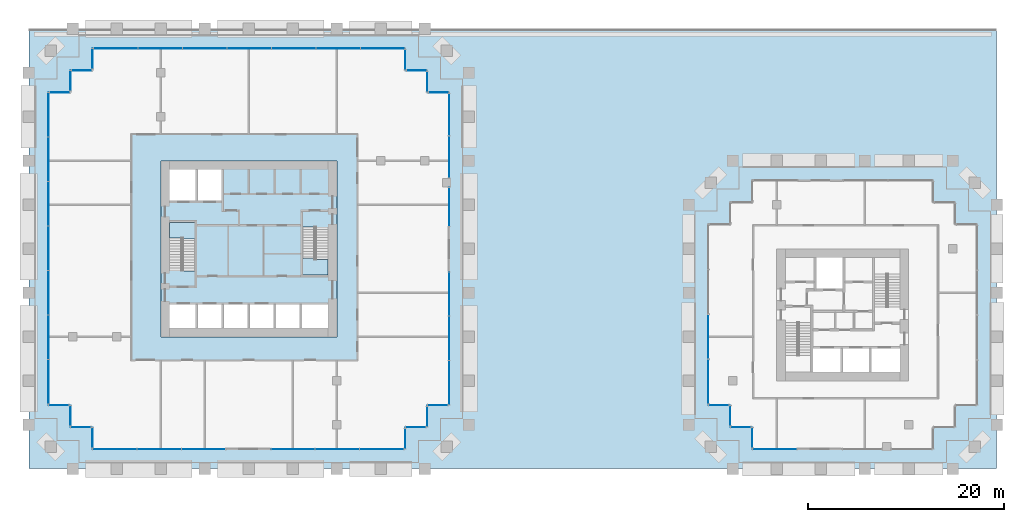
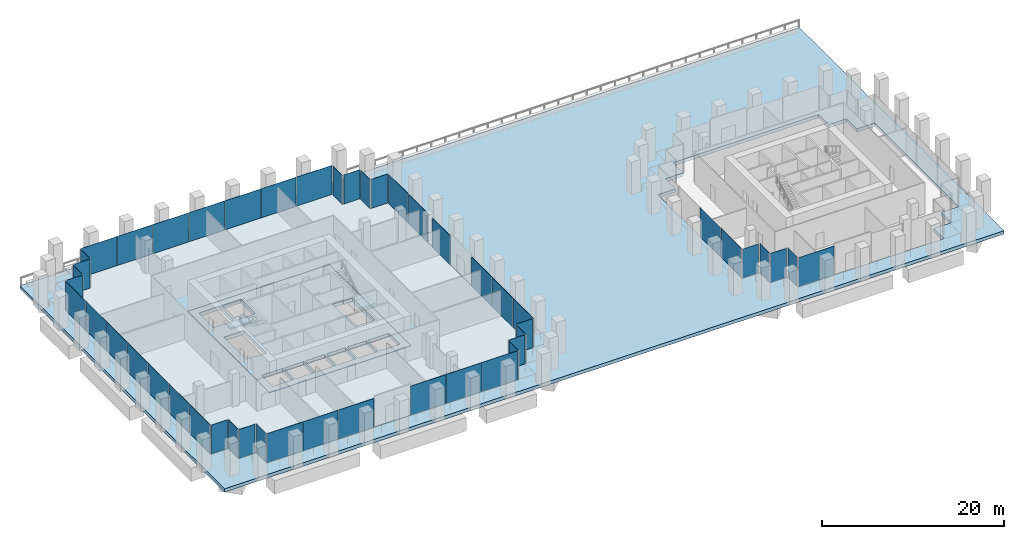
# One storey, part 23 of 32: 49 plates, 5 slabs, 31 elements without a shape of their own.
"""IFC4 building model written with IfcOpenShell, lengths in metres."""

from ifc_helpers import new_model, si_unit, direction, frame, origin, origin_2d, place, context, subcontext, project, spatial, polyline, rectangle, outline, extrude, material, layer, layer_set, type_object, element, aggregate, save


model = new_model("IFC4")

# Units and contexts
model_context = context("Model", 3, precision=1e-05, world=origin(), true_north=direction((0.0, 1.0)))
body_context = subcontext(model_context, "Body", "Model", "MODEL_VIEW")
ifc_project = project(units=[si_unit("LENGTHUNIT", "METRE"), si_unit("AREAUNIT", "SQUARE_METRE"), si_unit("VOLUMEUNIT", "CUBIC_METRE"), si_unit("PLANEANGLEUNIT", "RADIAN"), si_unit("MASSUNIT", "GRAM", prefix="KILO")], contexts=[model_context])

# Site, building, storey
site_placement = place(None, origin())
site = spatial("IfcSite", under=ifc_project, at=site_placement, CompositionType="ELEMENT")
building_placement = place(site_placement, origin())
building = spatial("IfcBuilding", under=site, at=building_placement, Name="Altepetl Exchange Towers", CompositionType="ELEMENT")
storey_placement = place(building_placement, frame((0.0, 0.0, 21.0)))
storey = spatial("IfcBuildingStorey", under=building, at=storey_placement, Name="L04", CompositionType="ELEMENT", Elevation=21.0)

# Slabs
ifc_material_1 = material(Name="Concrete C40/50", Category="concrete")
ifc_layer_1 = layer(ifc_material_1, 0.449951171875)
ifc_layer_set_1 = layer_set([ifc_layer_1], Name="Concrete C40/50")
slab_type_1 = type_object("IfcSlabType", Name="Composite floor slab 450", PredefinedType="FLOOR", material=ifc_layer_set_1)
slab_1_placement = place(storey_placement, frame((0.0, 0.0, -0.449951171875)))
element("IfcSlab", 1, at=slab_1_placement, inside=storey, type_object=slab_type_1, Name="slab:A:L04:strip0", PredefinedType="FLOOR", context=body_context, shape_type="SweptSolid", body=[
    extrude(outline(polyline([(31.25, 67.75), (31.25, 65.5), (29.0, 65.5), (29.0, 33.5), (31.25, 33.5), (31.25, 31.25), (33.5, 31.25), (33.5, 29.0), (65.5, 29.0), (65.5, 31.25), (67.75, 31.25), (67.75, 33.5), (70.0, 33.5), (70.0, 65.5), (67.75, 65.5), (67.75, 67.75), (65.5, 67.75), (65.5, 70.0), (33.5, 70.0), (33.5, 67.75), (31.25, 67.75)]), holes=[polyline([(58.5, 58.5), (58.5, 40.5), (40.5, 40.5), (40.5, 58.5), (58.5, 58.5)])]), origin(), (0.0, 0.0, 1.0), 0.449951171875),
])
ifc_layer_2 = layer(ifc_material_1, 0.5)
ifc_layer_set_2 = layer_set([ifc_layer_2], Name="Concrete C40/50")
slab_type_2 = type_object("IfcSlabType", Name="Core floor slab 500", PredefinedType="FLOOR", material=ifc_layer_set_2)
slab_2_placement = place(storey_placement, frame((0.0, 0.0, -0.5)))
element("IfcSlab", 2, at=slab_2_placement, inside=storey, type_object=slab_type_2, Name="slab:A:L04:core0", PredefinedType="FLOOR", context=body_context, shape_type="SweptSolid", body=[
    extrude(outline(polyline([(40.5, 40.5), (58.5, 40.5), (58.5, 58.5), (40.5, 58.5), (40.5, 40.5)]), holes=[polyline([(41.39990234375, 43.800048828125), (44.06689453125, 43.800048828125), (44.06689453125, 41.39990234375), (41.39990234375, 41.39990234375), (41.39990234375, 43.800048828125)]), polyline([(44.26708984375, 43.800048828125), (46.73291015625, 43.800048828125), (46.73291015625, 41.39990234375), (44.26708984375, 41.39990234375), (44.26708984375, 43.800048828125)]), polyline([(46.93310546875, 43.800048828125), (49.39990234375, 43.800048828125), (49.39990234375, 41.39990234375), (46.93310546875, 41.39990234375), (46.93310546875, 43.800048828125)]), polyline([(52.06689453125, 43.800048828125), (52.06689453125, 41.39990234375), (49.60009765625, 41.39990234375), (49.60009765625, 43.800048828125), (52.06689453125, 43.800048828125)]), polyline([(54.73291015625, 43.800048828125), (54.73291015625, 41.39990234375), (52.26708984375, 41.39990234375), (52.26708984375, 43.800048828125), (54.73291015625, 43.800048828125)]), polyline([(54.93310546875, 43.800048828125), (57.60009765625, 43.800048828125), (57.60009765625, 41.39990234375), (54.93310546875, 41.39990234375), (54.93310546875, 43.800048828125)]), polyline([(55.0, 51.7490234375), (56.35009765625, 51.7490234375), (56.35009765625, 51.64990234375), (57.5, 51.64990234375), (57.5, 46.800048828125), (55.0, 46.800048828125), (55.0, 51.7490234375)]), polyline([(44.0, 47.2509765625), (42.64990234375, 47.2509765625), (42.64990234375, 47.35009765625), (41.5, 47.35009765625), (41.5, 52.199951171875), (44.0, 52.199951171875), (44.0, 47.2509765625)]), polyline([(44.06689453125, 57.60009765625), (44.06689453125, 54.39990234375), (41.39990234375, 54.39990234375), (41.39990234375, 57.60009765625), (44.06689453125, 57.60009765625)]), polyline([(46.73291015625, 57.60009765625), (46.73291015625, 54.39990234375), (44.26708984375, 54.39990234375), (44.26708984375, 57.60009765625), (46.73291015625, 57.60009765625)])]), origin(), (0.0, 0.0, 1.0), 0.5),
])

# Curtain wall, plate
ifc_material_2 = material(Name="Aluminium 6063-T6 glazing", Category="aluminium")
curtain_wall_type = type_object("IfcCurtainWallType", Name="Trading floor glazing system", PredefinedType="NOTDEFINED", material=ifc_material_2)
curtain_wall_1_placement = place(storey_placement, origin())
curtain_wall_1 = element("IfcCurtainWall", 3, at=curtain_wall_1_placement, inside=storey, type_object=curtain_wall_type, Name="CW2 run", PredefinedType="NOTDEFINED")
ifc_material_3 = material(Name="Glass 8-20-8 solar control", Category="glass")
ifc_layer_3 = layer(ifc_material_3, 0.035888671875)
ifc_layer_set_3 = layer_set([ifc_layer_3], Name="Glass 8-20-8 solar control")
plate_type = type_object("IfcPlateType", Name="Glass panel 36 double glazed", PredefinedType="CURTAIN_PANEL", material=ifc_layer_set_3)
plate_1_placement = place(storey_placement, frame((30.175048828125, 65.5, 0.0), z_axis=(0.0, 0.0, 1.0), x_axis=(-1.0, 0.0, 0.0)))
plate_1 = element("IfcPlate", 4, at=plate_1_placement, type_object=plate_type, Name="GP2 panel", PredefinedType="CURTAIN_PANEL", context=body_context, shape_type="SweptSolid", body=[
    extrude(rectangle(XDim=2.030029296875, YDim=0.035888671875, at=origin_2d()), origin(), (0.0, 0.0, 1.0), 3.89990234375),
])
aggregate(curtain_wall_1, [plate_1])

# Curtain wall, plates
curtain_wall_2_placement = place(storey_placement, origin())
curtain_wall_2 = element("IfcCurtainWall", 5, at=curtain_wall_2_placement, inside=storey, type_object=curtain_wall_type, Name="CW2 run", PredefinedType="NOTDEFINED")
plate_2_placement = place(storey_placement, frame((29.0, 63.20654296875, 0.0), z_axis=(0.0, 0.0, 1.0), x_axis=(0.0, -1.0, 0.0)))
plate_2 = element("IfcPlate", 6, at=plate_2_placement, type_object=plate_type, Name="GP2 panel", PredefinedType="CURTAIN_PANEL", context=body_context, shape_type="SweptSolid", body=[
    extrude(rectangle(XDim=4.467041015625, YDim=0.035888671875, at=origin_2d()), origin(), (0.0, 0.0, 1.0), 3.89990234375),
])
plate_3_placement = place(storey_placement, frame((29.0, 58.664306640625, 0.0), z_axis=(0.0, 0.0, 1.0), x_axis=(0.0, -1.0, 0.0)))
plate_3 = element("IfcPlate", 7, at=plate_3_placement, type_object=plate_type, Name="GP2 panel", PredefinedType="CURTAIN_PANEL", context=body_context, shape_type="SweptSolid", body=[
    extrude(rectangle(XDim=4.4970703125, YDim=0.035888671875, at=origin_2d()), origin(), (0.0, 0.0, 1.0), 3.89990234375),
])
plate_4_placement = place(storey_placement, frame((29.0, 54.107177734375, 0.0), z_axis=(0.0, 0.0, 1.0), x_axis=(0.0, -1.0, 0.0)))
plate_4 = element("IfcPlate", 8, at=plate_4_placement, type_object=plate_type, Name="GP2 panel", PredefinedType="CURTAIN_PANEL", context=body_context, shape_type="SweptSolid", body=[
    extrude(rectangle(XDim=4.4970703125, YDim=0.035888671875, at=origin_2d()), origin(), (0.0, 0.0, 1.0), 3.89990234375),
])
plate_5_placement = place(storey_placement, frame((29.0, 49.550048828125, 0.0), z_axis=(0.0, 0.0, 1.0), x_axis=(0.0, -1.0, 0.0)))
plate_5 = element("IfcPlate", 9, at=plate_5_placement, type_object=plate_type, Name="GP2 panel", PredefinedType="CURTAIN_PANEL", context=body_context, shape_type="SweptSolid", body=[
    extrude(rectangle(XDim=4.4970703125, YDim=0.035888671875, at=origin_2d()), origin(), (0.0, 0.0, 1.0), 3.89990234375),
])
plate_6_placement = place(storey_placement, frame((29.0, 44.992919921875, 0.0), z_axis=(0.0, 0.0, 1.0), x_axis=(0.0, -1.0, 0.0)))
plate_6 = element("IfcPlate", 10, at=plate_6_placement, type_object=plate_type, Name="GP2 panel", PredefinedType="CURTAIN_PANEL", context=body_context, shape_type="SweptSolid", body=[
    extrude(rectangle(XDim=4.4970703125, YDim=0.035888671875, at=origin_2d()), origin(), (0.0, 0.0, 1.0), 3.89990234375),
])
plate_7_placement = place(storey_placement, frame((29.0, 40.435791015625, 0.0), z_axis=(0.0, 0.0, 1.0), x_axis=(0.0, -1.0, 0.0)))
plate_7 = element("IfcPlate", 11, at=plate_7_placement, type_object=plate_type, Name="GP2 panel", PredefinedType="CURTAIN_PANEL", context=body_context, shape_type="SweptSolid", body=[
    extrude(rectangle(XDim=4.4970703125, YDim=0.035888671875, at=origin_2d()), origin(), (0.0, 0.0, 1.0), 3.89990234375),
])
plate_8_placement = place(storey_placement, frame((29.0, 35.8935546875, 0.0), z_axis=(0.0, 0.0, 1.0), x_axis=(0.0, -1.0, 0.0)))
plate_8 = element("IfcPlate", 12, at=plate_8_placement, type_object=plate_type, Name="GP2 panel", PredefinedType="CURTAIN_PANEL", context=body_context, shape_type="SweptSolid", body=[
    extrude(rectangle(XDim=4.467041015625, YDim=0.035888671875, at=origin_2d()), origin(), (0.0, 0.0, 1.0), 3.89990234375),
])
aggregate(curtain_wall_2, [plate_2, plate_3, plate_4, plate_5, plate_6, plate_7, plate_8])

# Curtain wall, plate
curtain_wall_3_placement = place(storey_placement, origin())
curtain_wall_3 = element("IfcCurtainWall", 13, at=curtain_wall_3_placement, inside=storey, type_object=curtain_wall_type, Name="CW2 run", PredefinedType="NOTDEFINED")
plate_9_placement = place(storey_placement, frame((30.074951171875, 33.5, 0.0)))
plate_9 = element("IfcPlate", 14, at=plate_9_placement, type_object=plate_type, Name="GP2 panel", PredefinedType="CURTAIN_PANEL", context=body_context, shape_type="SweptSolid", body=[
    extrude(rectangle(XDim=2.030029296875, YDim=0.035888671875, at=origin_2d()), origin(), (0.0, 0.0, 1.0), 3.89990234375),
])
aggregate(curtain_wall_3, [plate_9])

curtain_wall_4_placement = place(storey_placement, origin())
curtain_wall_4 = element("IfcCurtainWall", 15, at=curtain_wall_4_placement, inside=storey, type_object=curtain_wall_type, Name="CW2 run", PredefinedType="NOTDEFINED")
plate_10_placement = place(storey_placement, frame((31.25, 32.425048828125, 0.0), z_axis=(0.0, 0.0, 1.0), x_axis=(0.0, -1.0, 0.0)))
plate_10 = element("IfcPlate", 16, at=plate_10_placement, type_object=plate_type, Name="GP2 panel", PredefinedType="CURTAIN_PANEL", context=body_context, shape_type="SweptSolid", body=[
    extrude(rectangle(XDim=2.030029296875, YDim=0.035888671875, at=origin_2d()), origin(), (0.0, 0.0, 1.0), 3.89990234375),
])
aggregate(curtain_wall_4, [plate_10])

curtain_wall_5_placement = place(storey_placement, origin())
curtain_wall_5 = element("IfcCurtainWall", 17, at=curtain_wall_5_placement, inside=storey, type_object=curtain_wall_type, Name="CW2 run", PredefinedType="NOTDEFINED")
plate_11_placement = place(storey_placement, frame((32.324951171875, 31.25, 0.0)))
plate_11 = element("IfcPlate", 18, at=plate_11_placement, type_object=plate_type, Name="GP2 panel", PredefinedType="CURTAIN_PANEL", context=body_context, shape_type="SweptSolid", body=[
    extrude(rectangle(XDim=2.030029296875, YDim=0.035888671875, at=origin_2d()), origin(), (0.0, 0.0, 1.0), 3.89990234375),
])
aggregate(curtain_wall_5, [plate_11])

curtain_wall_6_placement = place(storey_placement, origin())
curtain_wall_6 = element("IfcCurtainWall", 19, at=curtain_wall_6_placement, inside=storey, type_object=curtain_wall_type, Name="CW2 run", PredefinedType="NOTDEFINED")
plate_12_placement = place(storey_placement, frame((33.5, 30.175048828125, 0.0), z_axis=(0.0, 0.0, 1.0), x_axis=(0.0, -1.0, 0.0)))
plate_12 = element("IfcPlate", 20, at=plate_12_placement, type_object=plate_type, Name="GP2 panel", PredefinedType="CURTAIN_PANEL", context=body_context, shape_type="SweptSolid", body=[
    extrude(rectangle(XDim=2.030029296875, YDim=0.035888671875, at=origin_2d()), origin(), (0.0, 0.0, 1.0), 3.89990234375),
])
aggregate(curtain_wall_6, [plate_12])

# Curtain wall, plates
curtain_wall_7_placement = place(storey_placement, origin())
curtain_wall_7 = element("IfcCurtainWall", 21, at=curtain_wall_7_placement, inside=storey, type_object=curtain_wall_type, Name="CW2 run", PredefinedType="NOTDEFINED")
plate_13_placement = place(storey_placement, frame((35.79345703125, 29.0, 0.0)))
plate_13 = element("IfcPlate", 22, at=plate_13_placement, type_object=plate_type, Name="GP2 panel", PredefinedType="CURTAIN_PANEL", context=body_context, shape_type="SweptSolid", body=[
    extrude(rectangle(XDim=4.467041015625, YDim=0.035888671875, at=origin_2d()), origin(), (0.0, 0.0, 1.0), 3.89990234375),
])
plate_14_placement = place(storey_placement, frame((40.335693359375, 29.0, 0.0)))
plate_14 = element("IfcPlate", 23, at=plate_14_placement, type_object=plate_type, Name="GP2 panel", PredefinedType="CURTAIN_PANEL", context=body_context, shape_type="SweptSolid", body=[
    extrude(rectangle(XDim=4.4970703125, YDim=0.035888671875, at=origin_2d()), origin(), (0.0, 0.0, 1.0), 3.89990234375),
])
plate_15_placement = place(storey_placement, frame((44.8779296875, 29.0, 0.0)))
plate_15 = element("IfcPlate", 24, at=plate_15_placement, type_object=plate_type, Name="GP2 panel", PredefinedType="CURTAIN_PANEL", context=body_context, shape_type="SweptSolid", body=[
    extrude(rectangle(XDim=4.467041015625, YDim=0.035888671875, at=origin_2d()), origin(), (0.0, 0.0, 1.0), 3.89990234375),
])
aggregate(curtain_wall_7, [plate_13, plate_14, plate_15])

curtain_wall_8_placement = place(storey_placement, origin())
curtain_wall_8 = element("IfcCurtainWall", 25, at=curtain_wall_8_placement, inside=storey, type_object=curtain_wall_type, Name="CW2 run", PredefinedType="NOTDEFINED")
plate_16_placement = place(storey_placement, frame((54.022216796875, 29.0, 0.0)))
plate_16 = element("IfcPlate", 26, at=plate_16_placement, type_object=plate_type, Name="GP2 panel", PredefinedType="CURTAIN_PANEL", context=body_context, shape_type="SweptSolid", body=[
    extrude(rectangle(XDim=4.467041015625, YDim=0.035888671875, at=origin_2d()), origin(), (0.0, 0.0, 1.0), 3.89990234375),
])
plate_17_placement = place(storey_placement, frame((58.564208984375, 29.0, 0.0)))
plate_17 = element("IfcPlate", 27, at=plate_17_placement, type_object=plate_type, Name="GP2 panel", PredefinedType="CURTAIN_PANEL", context=body_context, shape_type="SweptSolid", body=[
    extrude(rectangle(XDim=4.4970703125, YDim=0.035888671875, at=origin_2d()), origin(), (0.0, 0.0, 1.0), 3.89990234375),
])
plate_18_placement = place(storey_placement, frame((63.1064453125, 29.0, 0.0)))
plate_18 = element("IfcPlate", 28, at=plate_18_placement, type_object=plate_type, Name="GP2 panel", PredefinedType="CURTAIN_PANEL", context=body_context, shape_type="SweptSolid", body=[
    extrude(rectangle(XDim=4.467041015625, YDim=0.035888671875, at=origin_2d()), origin(), (0.0, 0.0, 1.0), 3.89990234375),
])
aggregate(curtain_wall_8, [plate_16, plate_17, plate_18])

# Curtain wall, plate
curtain_wall_9_placement = place(storey_placement, origin())
curtain_wall_9 = element("IfcCurtainWall", 29, at=curtain_wall_9_placement, inside=storey, type_object=curtain_wall_type, Name="CW2 run", PredefinedType="NOTDEFINED")
plate_19_placement = place(storey_placement, frame((65.5, 30.074951171875, 0.0), z_axis=(0.0, 0.0, 1.0), x_axis=(0.0, 1.0, 0.0)))
plate_19 = element("IfcPlate", 30, at=plate_19_placement, type_object=plate_type, Name="GP2 panel", PredefinedType="CURTAIN_PANEL", context=body_context, shape_type="SweptSolid", body=[
    extrude(rectangle(XDim=2.030029296875, YDim=0.035888671875, at=origin_2d()), origin(), (0.0, 0.0, 1.0), 3.89990234375),
])
aggregate(curtain_wall_9, [plate_19])

curtain_wall_10_placement = place(storey_placement, origin())
curtain_wall_10 = element("IfcCurtainWall", 31, at=curtain_wall_10_placement, inside=storey, type_object=curtain_wall_type, Name="CW2 run", PredefinedType="NOTDEFINED")
plate_20_placement = place(storey_placement, frame((66.574951171875, 31.25, 0.0)))
plate_20 = element("IfcPlate", 32, at=plate_20_placement, type_object=plate_type, Name="GP2 panel", PredefinedType="CURTAIN_PANEL", context=body_context, shape_type="SweptSolid", body=[
    extrude(rectangle(XDim=2.030029296875, YDim=0.035888671875, at=origin_2d()), origin(), (0.0, 0.0, 1.0), 3.89990234375),
])
aggregate(curtain_wall_10, [plate_20])

curtain_wall_11_placement = place(storey_placement, origin())
curtain_wall_11 = element("IfcCurtainWall", 33, at=curtain_wall_11_placement, inside=storey, type_object=curtain_wall_type, Name="CW2 run", PredefinedType="NOTDEFINED")
plate_21_placement = place(storey_placement, frame((67.75, 32.324951171875, 0.0), z_axis=(0.0, 0.0, 1.0), x_axis=(0.0, 1.0, 0.0)))
plate_21 = element("IfcPlate", 34, at=plate_21_placement, type_object=plate_type, Name="GP2 panel", PredefinedType="CURTAIN_PANEL", context=body_context, shape_type="SweptSolid", body=[
    extrude(rectangle(XDim=2.030029296875, YDim=0.035888671875, at=origin_2d()), origin(), (0.0, 0.0, 1.0), 3.89990234375),
])
aggregate(curtain_wall_11, [plate_21])

curtain_wall_12_placement = place(storey_placement, origin())
curtain_wall_12 = element("IfcCurtainWall", 35, at=curtain_wall_12_placement, inside=storey, type_object=curtain_wall_type, Name="CW2 run", PredefinedType="NOTDEFINED")
plate_22_placement = place(storey_placement, frame((68.824951171875, 33.5, 0.0)))
plate_22 = element("IfcPlate", 36, at=plate_22_placement, type_object=plate_type, Name="GP2 panel", PredefinedType="CURTAIN_PANEL", context=body_context, shape_type="SweptSolid", body=[
    extrude(rectangle(XDim=2.030029296875, YDim=0.035888671875, at=origin_2d()), origin(), (0.0, 0.0, 1.0), 3.89990234375),
])
aggregate(curtain_wall_12, [plate_22])

# Curtain wall, plates
curtain_wall_13_placement = place(storey_placement, origin())
curtain_wall_13 = element("IfcCurtainWall", 37, at=curtain_wall_13_placement, inside=storey, type_object=curtain_wall_type, Name="CW2 run", PredefinedType="NOTDEFINED")
plate_23_placement = place(storey_placement, frame((70.0, 35.79345703125, 0.0), z_axis=(0.0, 0.0, 1.0), x_axis=(0.0, 1.0, 0.0)))
plate_23 = element("IfcPlate", 38, at=plate_23_placement, type_object=plate_type, Name="GP2 panel", PredefinedType="CURTAIN_PANEL", context=body_context, shape_type="SweptSolid", body=[
    extrude(rectangle(XDim=4.467041015625, YDim=0.035888671875, at=origin_2d()), origin(), (0.0, 0.0, 1.0), 3.89990234375),
])
plate_24_placement = place(storey_placement, frame((70.0, 40.335693359375, 0.0), z_axis=(0.0, 0.0, 1.0), x_axis=(0.0, 1.0, 0.0)))
plate_24 = element("IfcPlate", 39, at=plate_24_placement, type_object=plate_type, Name="GP2 panel", PredefinedType="CURTAIN_PANEL", context=body_context, shape_type="SweptSolid", body=[
    extrude(rectangle(XDim=4.4970703125, YDim=0.035888671875, at=origin_2d()), origin(), (0.0, 0.0, 1.0), 3.89990234375),
])
plate_25_placement = place(storey_placement, frame((70.0, 44.8779296875, 0.0), z_axis=(0.0, 0.0, 1.0), x_axis=(0.0, 1.0, 0.0)))
plate_25 = element("IfcPlate", 40, at=plate_25_placement, type_object=plate_type, Name="GP2 panel", PredefinedType="CURTAIN_PANEL", context=body_context, shape_type="SweptSolid", body=[
    extrude(rectangle(XDim=4.467041015625, YDim=0.035888671875, at=origin_2d()), origin(), (0.0, 0.0, 1.0), 3.89990234375),
])
aggregate(curtain_wall_13, [plate_23, plate_24, plate_25])

# Curtain wall, plate
curtain_wall_14_placement = place(storey_placement, origin())
curtain_wall_14 = element("IfcCurtainWall", 41, at=curtain_wall_14_placement, inside=storey, type_object=curtain_wall_type, Name="CW2 run", PredefinedType="NOTDEFINED")
plate_26_placement = place(storey_placement, frame((70.0, 53.75439453125, 0.0), z_axis=(0.0, 0.0, 1.0), x_axis=(0.0, 1.0, 0.0)))
plate_26 = element("IfcPlate", 42, at=plate_26_placement, type_object=plate_type, Name="GP2 panel", PredefinedType="CURTAIN_PANEL", context=body_context, shape_type="SweptSolid", body=[
    extrude(rectangle(XDim=3.931396484375, YDim=0.035888671875, at=origin_2d()), origin(), (0.0, 0.0, 1.0), 3.89990234375),
])
aggregate(curtain_wall_14, [plate_26])

# Curtain wall, plates
curtain_wall_15_placement = place(storey_placement, origin())
curtain_wall_15 = element("IfcCurtainWall", 43, at=curtain_wall_15_placement, inside=storey, type_object=curtain_wall_type, Name="CW2 run", PredefinedType="NOTDEFINED")
plate_27_placement = place(storey_placement, frame((70.0, 58.905029296875, 0.0), z_axis=(0.0, 0.0, 1.0), x_axis=(0.0, 1.0, 0.0)))
plate_27 = element("IfcPlate", 44, at=plate_27_placement, type_object=plate_type, Name="GP2 panel", PredefinedType="CURTAIN_PANEL", context=body_context, shape_type="SweptSolid", body=[
    extrude(rectangle(XDim=4.25, YDim=0.035888671875, at=origin_2d()), origin(), (0.0, 0.0, 1.0), 3.89990234375),
])
plate_28_placement = place(storey_placement, frame((70.0, 63.215087890625, 0.0), z_axis=(0.0, 0.0, 1.0), x_axis=(0.0, 1.0, 0.0)))
plate_28 = element("IfcPlate", 45, at=plate_28_placement, type_object=plate_type, Name="GP2 panel", PredefinedType="CURTAIN_PANEL", context=body_context, shape_type="SweptSolid", body=[
    extrude(rectangle(XDim=4.25, YDim=0.035888671875, at=origin_2d()), origin(), (0.0, 0.0, 1.0), 3.89990234375),
])
aggregate(curtain_wall_15, [plate_27, plate_28])

# Curtain wall, plate
curtain_wall_16_placement = place(storey_placement, origin())
curtain_wall_16 = element("IfcCurtainWall", 46, at=curtain_wall_16_placement, inside=storey, type_object=curtain_wall_type, Name="CW2 run", PredefinedType="NOTDEFINED")
plate_29_placement = place(storey_placement, frame((68.925048828125, 65.5, 0.0), z_axis=(0.0, 0.0, 1.0), x_axis=(-1.0, 0.0, 0.0)))
plate_29 = element("IfcPlate", 47, at=plate_29_placement, type_object=plate_type, Name="GP2 panel", PredefinedType="CURTAIN_PANEL", context=body_context, shape_type="SweptSolid", body=[
    extrude(rectangle(XDim=2.030029296875, YDim=0.035888671875, at=origin_2d()), origin(), (0.0, 0.0, 1.0), 3.89990234375),
])
aggregate(curtain_wall_16, [plate_29])

curtain_wall_17_placement = place(storey_placement, origin())
curtain_wall_17 = element("IfcCurtainWall", 48, at=curtain_wall_17_placement, inside=storey, type_object=curtain_wall_type, Name="CW2 run", PredefinedType="NOTDEFINED")
plate_30_placement = place(storey_placement, frame((67.75, 66.574951171875, 0.0), z_axis=(0.0, 0.0, 1.0), x_axis=(0.0, 1.0, 0.0)))
plate_30 = element("IfcPlate", 49, at=plate_30_placement, type_object=plate_type, Name="GP2 panel", PredefinedType="CURTAIN_PANEL", context=body_context, shape_type="SweptSolid", body=[
    extrude(rectangle(XDim=2.030029296875, YDim=0.035888671875, at=origin_2d()), origin(), (0.0, 0.0, 1.0), 3.89990234375),
])
aggregate(curtain_wall_17, [plate_30])

curtain_wall_18_placement = place(storey_placement, origin())
curtain_wall_18 = element("IfcCurtainWall", 50, at=curtain_wall_18_placement, inside=storey, type_object=curtain_wall_type, Name="CW2 run", PredefinedType="NOTDEFINED")
plate_31_placement = place(storey_placement, frame((66.675048828125, 67.75, 0.0), z_axis=(0.0, 0.0, 1.0), x_axis=(-1.0, 0.0, 0.0)))
plate_31 = element("IfcPlate", 51, at=plate_31_placement, type_object=plate_type, Name="GP2 panel", PredefinedType="CURTAIN_PANEL", context=body_context, shape_type="SweptSolid", body=[
    extrude(rectangle(XDim=2.030029296875, YDim=0.035888671875, at=origin_2d()), origin(), (0.0, 0.0, 1.0), 3.89990234375),
])
aggregate(curtain_wall_18, [plate_31])

curtain_wall_19_placement = place(storey_placement, origin())
curtain_wall_19 = element("IfcCurtainWall", 52, at=curtain_wall_19_placement, inside=storey, type_object=curtain_wall_type, Name="CW2 run", PredefinedType="NOTDEFINED")
plate_32_placement = place(storey_placement, frame((65.5, 68.824951171875, 0.0), z_axis=(0.0, 0.0, 1.0), x_axis=(0.0, 1.0, 0.0)))
plate_32 = element("IfcPlate", 53, at=plate_32_placement, type_object=plate_type, Name="GP2 panel", PredefinedType="CURTAIN_PANEL", context=body_context, shape_type="SweptSolid", body=[
    extrude(rectangle(XDim=2.030029296875, YDim=0.035888671875, at=origin_2d()), origin(), (0.0, 0.0, 1.0), 3.89990234375),
])
aggregate(curtain_wall_19, [plate_32])

# Curtain wall, plates
curtain_wall_20_placement = place(storey_placement, origin())
curtain_wall_20 = element("IfcCurtainWall", 54, at=curtain_wall_20_placement, inside=storey, type_object=curtain_wall_type, Name="CW2 run", PredefinedType="NOTDEFINED")
plate_33_placement = place(storey_placement, frame((63.20654296875, 70.0, 0.0), z_axis=(0.0, 0.0, 1.0), x_axis=(-1.0, 0.0, 0.0)))
plate_33 = element("IfcPlate", 55, at=plate_33_placement, type_object=plate_type, Name="GP2 panel", PredefinedType="CURTAIN_PANEL", context=body_context, shape_type="SweptSolid", body=[
    extrude(rectangle(XDim=4.467041015625, YDim=0.035888671875, at=origin_2d()), origin(), (0.0, 0.0, 1.0), 3.89990234375),
])
plate_34_placement = place(storey_placement, frame((58.664306640625, 70.0, 0.0), z_axis=(0.0, 0.0, 1.0), x_axis=(-1.0, 0.0, 0.0)))
plate_34 = element("IfcPlate", 56, at=plate_34_placement, type_object=plate_type, Name="GP2 panel", PredefinedType="CURTAIN_PANEL", context=body_context, shape_type="SweptSolid", body=[
    extrude(rectangle(XDim=4.4970703125, YDim=0.035888671875, at=origin_2d()), origin(), (0.0, 0.0, 1.0), 3.89990234375),
])
plate_35_placement = place(storey_placement, frame((54.107177734375, 70.0, 0.0), z_axis=(0.0, 0.0, 1.0), x_axis=(-1.0, 0.0, 0.0)))
plate_35 = element("IfcPlate", 57, at=plate_35_placement, type_object=plate_type, Name="GP2 panel", PredefinedType="CURTAIN_PANEL", context=body_context, shape_type="SweptSolid", body=[
    extrude(rectangle(XDim=4.4970703125, YDim=0.035888671875, at=origin_2d()), origin(), (0.0, 0.0, 1.0), 3.89990234375),
])
plate_36_placement = place(storey_placement, frame((49.550048828125, 70.0, 0.0), z_axis=(0.0, 0.0, 1.0), x_axis=(-1.0, 0.0, 0.0)))
plate_36 = element("IfcPlate", 58, at=plate_36_placement, type_object=plate_type, Name="GP2 panel", PredefinedType="CURTAIN_PANEL", context=body_context, shape_type="SweptSolid", body=[
    extrude(rectangle(XDim=4.4970703125, YDim=0.035888671875, at=origin_2d()), origin(), (0.0, 0.0, 1.0), 3.89990234375),
])
plate_37_placement = place(storey_placement, frame((44.992919921875, 70.0, 0.0), z_axis=(0.0, 0.0, 1.0), x_axis=(-1.0, 0.0, 0.0)))
plate_37 = element("IfcPlate", 59, at=plate_37_placement, type_object=plate_type, Name="GP2 panel", PredefinedType="CURTAIN_PANEL", context=body_context, shape_type="SweptSolid", body=[
    extrude(rectangle(XDim=4.4970703125, YDim=0.035888671875, at=origin_2d()), origin(), (0.0, 0.0, 1.0), 3.89990234375),
])
plate_38_placement = place(storey_placement, frame((40.435791015625, 70.0, 0.0), z_axis=(0.0, 0.0, 1.0), x_axis=(-1.0, 0.0, 0.0)))
plate_38 = element("IfcPlate", 60, at=plate_38_placement, type_object=plate_type, Name="GP2 panel", PredefinedType="CURTAIN_PANEL", context=body_context, shape_type="SweptSolid", body=[
    extrude(rectangle(XDim=4.4970703125, YDim=0.035888671875, at=origin_2d()), origin(), (0.0, 0.0, 1.0), 3.89990234375),
])
plate_39_placement = place(storey_placement, frame((35.8935546875, 70.0, 0.0), z_axis=(0.0, 0.0, 1.0), x_axis=(-1.0, 0.0, 0.0)))
plate_39 = element("IfcPlate", 61, at=plate_39_placement, type_object=plate_type, Name="GP2 panel", PredefinedType="CURTAIN_PANEL", context=body_context, shape_type="SweptSolid", body=[
    extrude(rectangle(XDim=4.467041015625, YDim=0.035888671875, at=origin_2d()), origin(), (0.0, 0.0, 1.0), 3.89990234375),
])
aggregate(curtain_wall_20, [plate_33, plate_34, plate_35, plate_36, plate_37, plate_38, plate_39])

# Curtain wall, plate
curtain_wall_21_placement = place(storey_placement, origin())
curtain_wall_21 = element("IfcCurtainWall", 62, at=curtain_wall_21_placement, inside=storey, type_object=curtain_wall_type, Name="CW2 run", PredefinedType="NOTDEFINED")
plate_40_placement = place(storey_placement, frame((33.5, 68.925048828125, 0.0), z_axis=(0.0, 0.0, 1.0), x_axis=(0.0, -1.0, 0.0)))
plate_40 = element("IfcPlate", 63, at=plate_40_placement, type_object=plate_type, Name="GP2 panel", PredefinedType="CURTAIN_PANEL", context=body_context, shape_type="SweptSolid", body=[
    extrude(rectangle(XDim=2.030029296875, YDim=0.035888671875, at=origin_2d()), origin(), (0.0, 0.0, 1.0), 3.89990234375),
])
aggregate(curtain_wall_21, [plate_40])

curtain_wall_22_placement = place(storey_placement, origin())
curtain_wall_22 = element("IfcCurtainWall", 64, at=curtain_wall_22_placement, inside=storey, type_object=curtain_wall_type, Name="CW2 run", PredefinedType="NOTDEFINED")
plate_41_placement = place(storey_placement, frame((32.425048828125, 67.75, 0.0), z_axis=(0.0, 0.0, 1.0), x_axis=(-1.0, 0.0, 0.0)))
plate_41 = element("IfcPlate", 65, at=plate_41_placement, type_object=plate_type, Name="GP2 panel", PredefinedType="CURTAIN_PANEL", context=body_context, shape_type="SweptSolid", body=[
    extrude(rectangle(XDim=2.030029296875, YDim=0.035888671875, at=origin_2d()), origin(), (0.0, 0.0, 1.0), 3.89990234375),
])
aggregate(curtain_wall_22, [plate_41])

curtain_wall_23_placement = place(storey_placement, origin())
curtain_wall_23 = element("IfcCurtainWall", 66, at=curtain_wall_23_placement, inside=storey, type_object=curtain_wall_type, Name="CW2 run", PredefinedType="NOTDEFINED")
plate_42_placement = place(storey_placement, frame((31.25, 66.675048828125, 0.0), z_axis=(0.0, 0.0, 1.0), x_axis=(0.0, -1.0, 0.0)))
plate_42 = element("IfcPlate", 67, at=plate_42_placement, type_object=plate_type, Name="GP2 panel", PredefinedType="CURTAIN_PANEL", context=body_context, shape_type="SweptSolid", body=[
    extrude(rectangle(XDim=2.030029296875, YDim=0.035888671875, at=origin_2d()), origin(), (0.0, 0.0, 1.0), 3.89990234375),
])
aggregate(curtain_wall_23, [plate_42])

# Curtain wall, plates
curtain_wall_24_placement = place(storey_placement, origin())
curtain_wall_24 = element("IfcCurtainWall", 68, at=curtain_wall_24_placement, inside=storey, type_object=curtain_wall_type, Name="CW2 run", PredefinedType="NOTDEFINED")
plate_43_placement = place(storey_placement, frame((96.5, 40.5, 0.0), z_axis=(0.0, 0.0, 1.0), x_axis=(0.0, -1.0, 0.0)))
plate_43 = element("IfcPlate", 69, at=plate_43_placement, type_object=plate_type, Name="GP2 panel", PredefinedType="CURTAIN_PANEL", context=body_context, shape_type="SweptSolid", body=[
    extrude(rectangle(XDim=4.5400390625, YDim=0.035888671875, at=origin_2d()), origin(), (0.0, 0.0, 1.0), 3.89990234375),
])
plate_44_placement = place(storey_placement, frame((96.5, 35.9150390625, 0.0), z_axis=(0.0, 0.0, 1.0), x_axis=(0.0, -1.0, 0.0)))
plate_44 = element("IfcPlate", 70, at=plate_44_placement, type_object=plate_type, Name="GP2 panel", PredefinedType="CURTAIN_PANEL", context=body_context, shape_type="SweptSolid", body=[
    extrude(rectangle(XDim=4.510009765625, YDim=0.035888671875, at=origin_2d()), origin(), (0.0, 0.0, 1.0), 3.89990234375),
])
aggregate(curtain_wall_24, [plate_43, plate_44])

# Curtain wall, plate
curtain_wall_25_placement = place(storey_placement, origin())
curtain_wall_25 = element("IfcCurtainWall", 71, at=curtain_wall_25_placement, inside=storey, type_object=curtain_wall_type, Name="CW2 run", PredefinedType="NOTDEFINED")
plate_45_placement = place(storey_placement, frame((97.574951171875, 33.5, 0.0)))
plate_45 = element("IfcPlate", 72, at=plate_45_placement, type_object=plate_type, Name="GP2 panel", PredefinedType="CURTAIN_PANEL", context=body_context, shape_type="SweptSolid", body=[
    extrude(rectangle(XDim=2.030029296875, YDim=0.035888671875, at=origin_2d()), origin(), (0.0, 0.0, 1.0), 3.89990234375),
])
aggregate(curtain_wall_25, [plate_45])

curtain_wall_26_placement = place(storey_placement, origin())
curtain_wall_26 = element("IfcCurtainWall", 73, at=curtain_wall_26_placement, inside=storey, type_object=curtain_wall_type, Name="CW2 run", PredefinedType="NOTDEFINED")
plate_46_placement = place(storey_placement, frame((98.75, 32.425048828125, 0.0), z_axis=(0.0, 0.0, 1.0), x_axis=(0.0, -1.0, 0.0)))
plate_46 = element("IfcPlate", 74, at=plate_46_placement, type_object=plate_type, Name="GP2 panel", PredefinedType="CURTAIN_PANEL", context=body_context, shape_type="SweptSolid", body=[
    extrude(rectangle(XDim=2.030029296875, YDim=0.035888671875, at=origin_2d()), origin(), (0.0, 0.0, 1.0), 3.89990234375),
])
aggregate(curtain_wall_26, [plate_46])

curtain_wall_27_placement = place(storey_placement, origin())
curtain_wall_27 = element("IfcCurtainWall", 75, at=curtain_wall_27_placement, inside=storey, type_object=curtain_wall_type, Name="CW2 run", PredefinedType="NOTDEFINED")
plate_47_placement = place(storey_placement, frame((99.824951171875, 31.25, 0.0)))
plate_47 = element("IfcPlate", 76, at=plate_47_placement, type_object=plate_type, Name="GP2 panel", PredefinedType="CURTAIN_PANEL", context=body_context, shape_type="SweptSolid", body=[
    extrude(rectangle(XDim=2.030029296875, YDim=0.035888671875, at=origin_2d()), origin(), (0.0, 0.0, 1.0), 3.89990234375),
])
aggregate(curtain_wall_27, [plate_47])

curtain_wall_28_placement = place(storey_placement, origin())
curtain_wall_28 = element("IfcCurtainWall", 77, at=curtain_wall_28_placement, inside=storey, type_object=curtain_wall_type, Name="CW2 run", PredefinedType="NOTDEFINED")
plate_48_placement = place(storey_placement, frame((101.0, 30.175048828125, 0.0), z_axis=(0.0, 0.0, 1.0), x_axis=(0.0, -1.0, 0.0)))
plate_48 = element("IfcPlate", 78, at=plate_48_placement, type_object=plate_type, Name="GP2 panel", PredefinedType="CURTAIN_PANEL", context=body_context, shape_type="SweptSolid", body=[
    extrude(rectangle(XDim=2.030029296875, YDim=0.035888671875, at=origin_2d()), origin(), (0.0, 0.0, 1.0), 3.89990234375),
])
aggregate(curtain_wall_28, [plate_48])

curtain_wall_29_placement = place(storey_placement, origin())
curtain_wall_29 = element("IfcCurtainWall", 79, at=curtain_wall_29_placement, inside=storey, type_object=curtain_wall_type, Name="CW2 run", PredefinedType="NOTDEFINED")
plate_49_placement = place(storey_placement, frame((103.300048828125, 29.0, 0.0)))
plate_49 = element("IfcPlate", 80, at=plate_49_placement, type_object=plate_type, Name="GP2 panel", PredefinedType="CURTAIN_PANEL", context=body_context, shape_type="SweptSolid", body=[
    extrude(rectangle(XDim=4.47998046875, YDim=0.035888671875, at=origin_2d()), origin(), (0.0, 0.0, 1.0), 3.89990234375),
])
aggregate(curtain_wall_29, [plate_49])

# Slab
ifc_layer_4 = layer(ifc_material_1, 0.449951171875)
ifc_layer_set_4 = layer_set([ifc_layer_4], Name="Concrete C40/50")
slab_type_3 = type_object("IfcSlabType", Name="Green roof slab 450", PredefinedType="ROOF", material=ifc_layer_set_4)
slab_3_placement = place(storey_placement, frame((0.0, 0.0, -0.449951171875)))
element("IfcSlab", 81, at=slab_3_placement, inside=storey, type_object=slab_type_3, Name="slab:P:L04:terrace0", PredefinedType="ROOF", context=body_context, shape_type="SweptSolid", body=[
    extrude(outline(polyline([(27.0, 27.0), (126.0, 27.0), (126.0, 72.0), (27.0, 72.0), (27.0, 27.0)]), holes=[polyline([(98.75, 52.0), (98.75, 54.25), (101.0, 54.25), (101.0, 56.5), (119.5, 56.5), (119.5, 54.25), (121.75, 54.25), (121.75, 52.0), (124.0, 52.0), (124.0, 33.5), (121.75, 33.5), (121.75, 31.25), (119.5, 31.25), (119.5, 29.0), (101.0, 29.0), (101.0, 31.25), (98.75, 31.25), (98.75, 33.5), (96.5, 33.5), (96.5, 52.0), (98.75, 52.0)]), polyline([(31.25, 65.5), (31.25, 67.75), (33.5, 67.75), (33.5, 70.0), (65.5, 70.0), (65.5, 67.75), (67.75, 67.75), (67.75, 65.5), (70.0, 65.5), (70.0, 33.5), (67.75, 33.5), (67.75, 31.25), (65.5, 31.25), (65.5, 29.0), (33.5, 29.0), (33.5, 31.25), (31.25, 31.25), (31.25, 33.5), (29.0, 33.5), (29.0, 65.5), (31.25, 65.5)])]), origin(), (0.0, 0.0, 1.0), 0.449951171875),
])

# Stair, slab
stair_type = type_object("IfcStairType", Name="Exit stair 1250 flights dogleg", PredefinedType="HALF_TURN_STAIR", material=ifc_material_1)
stair_1_placement = place(storey_placement, origin())
stair_1 = element("IfcStair", 82, at=stair_1_placement, inside=storey, type_object=stair_type, Name="Exit stair 1", PredefinedType="HALF_TURN_STAIR")
ifc_layer_5 = layer(ifc_material_1, 0.199951171875)
ifc_layer_set_5 = layer_set([ifc_layer_5], Name="Concrete C40/50")
slab_type_4 = type_object("IfcSlabType", Name="Stair landing 200 reinforced concrete", PredefinedType="LANDING", material=ifc_layer_set_5)
slab_4_placement = place(storey_placement, frame((0.0, 0.0, 2.0)))
slab_4 = element("IfcSlab", 83, at=slab_4_placement, type_object=slab_type_4, Name="ST-A1b landing 1", PredefinedType="LANDING", context=body_context, shape_type="SweptSolid", body=[
    extrude(outline(polyline([(44.0, 50.510009765625), (42.75, 50.510009765625), (42.75, 50.610107421875), (42.64990234375, 50.610107421875), (42.64990234375, 50.609375), (41.39990234375, 50.609375), (41.39990234375, 50.610107421875), (41.39990234375, 52.199951171875), (44.0, 52.199951171875), (44.0, 50.610107421875), (44.0, 50.510009765625)])), origin(), (0.0, 0.0, 1.0), 0.199951171875),
])
aggregate(stair_1, [slab_4])

stair_2_placement = place(storey_placement, origin())
stair_2 = element("IfcStair", 84, at=stair_2_placement, inside=storey, type_object=stair_type, Name="Exit stair 2", PredefinedType="HALF_TURN_STAIR")
slab_5_placement = place(storey_placement, frame((0.0, 0.0, 2.0)))
slab_5 = element("IfcSlab", 85, at=slab_5_placement, type_object=slab_type_4, Name="ST-A2b landing 1", PredefinedType="LANDING", context=body_context, shape_type="SweptSolid", body=[
    extrude(outline(polyline([(57.60009765625, 46.800048828125), (55.0, 46.800048828125), (55.0, 48.389892578125), (55.0, 48.489990234375), (56.25, 48.489990234375), (56.25, 48.389892578125), (56.35009765625, 48.389892578125), (56.35009765625, 48.390625), (57.60009765625, 48.390625), (57.60009765625, 48.389892578125), (57.60009765625, 46.800048828125)])), origin(), (0.0, 0.0, 1.0), 0.199951171875),
])
aggregate(stair_2, [slab_5])

save(model, "model.ifc")
